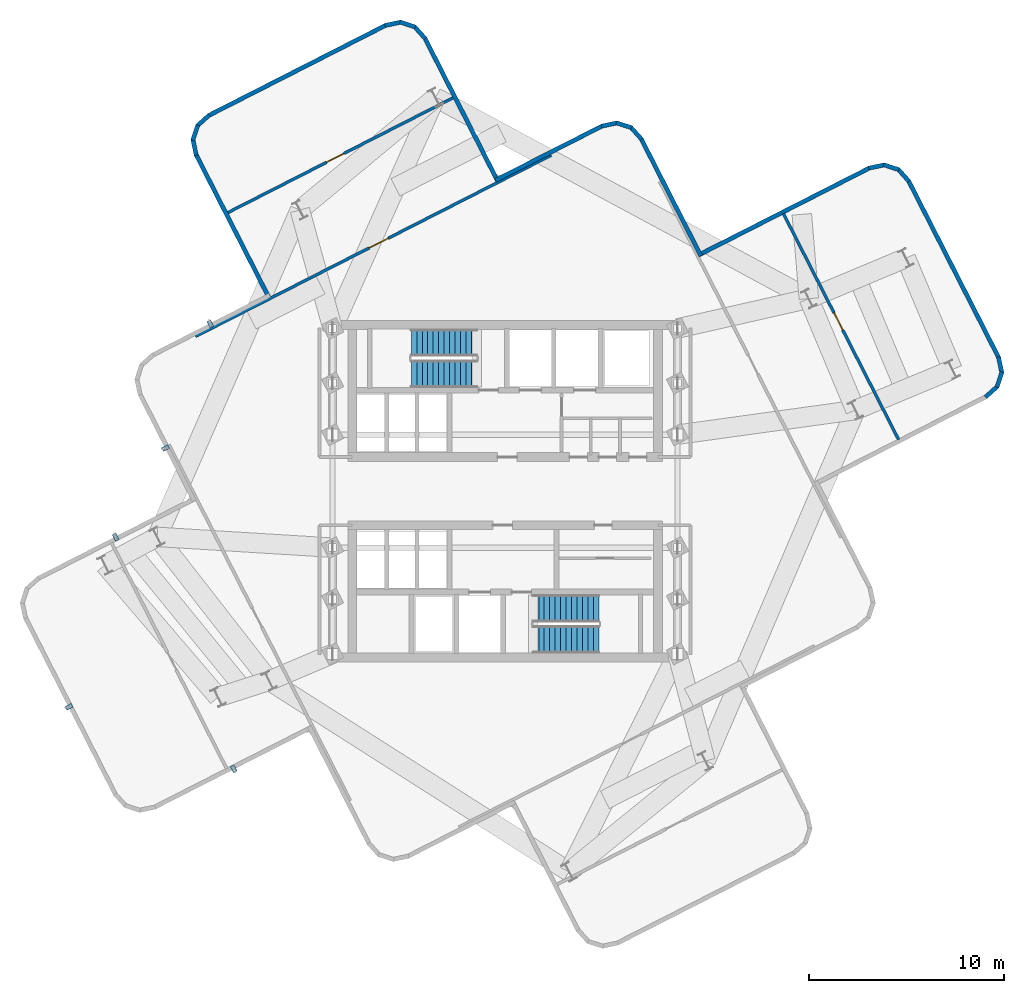
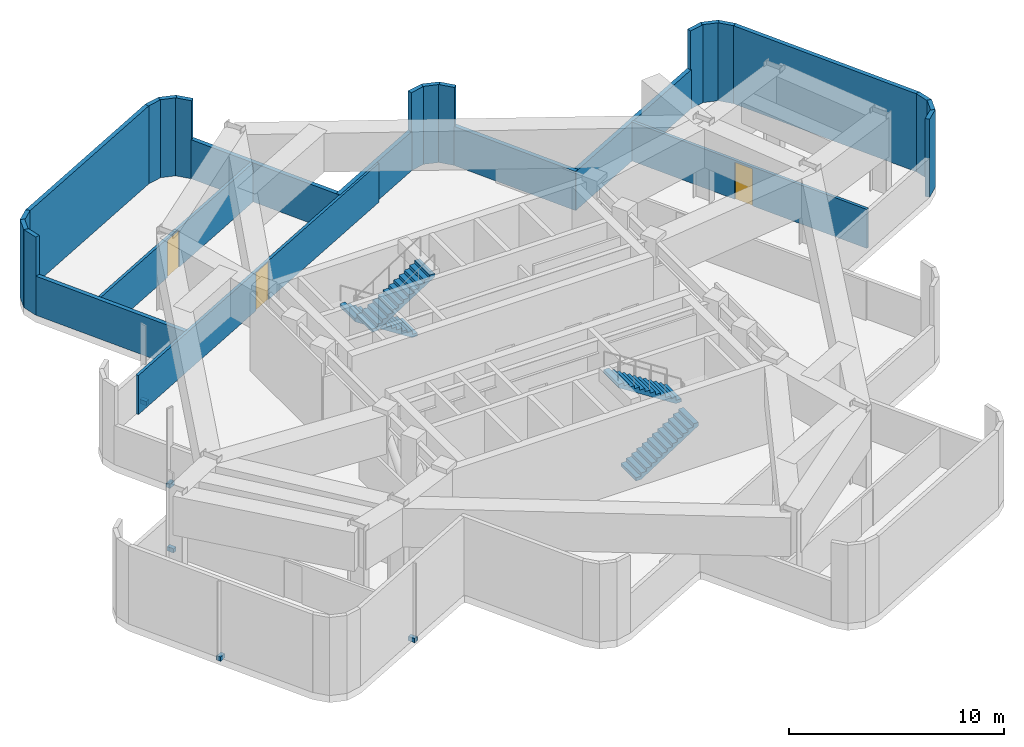
# One storey, part 5 of 6: 25 walls, 5 discrete accessories, 4 stair flights, 3 doors, 3 openings, 2 elements without a shape of their own.
"""IFC4 building model written with IfcOpenShell, lengths in metres."""

from ifc_helpers import new_model, si_unit, direction, frame, frame_2d, origin, origin_2d, place, context, subcontext, project, spatial, polyline, rectangle, outline, extrude, material, layer, layer_set, type_object, element, fill, aggregate, save


model = new_model("IFC4")

# Units and contexts
model_context = context("Model", 3, precision=1e-05, world=origin(), true_north=direction((0.0, 1.0)))
body_context = subcontext(model_context, "Body", "Model", "MODEL_VIEW")
ifc_project = project(units=[si_unit("LENGTHUNIT", "METRE"), si_unit("AREAUNIT", "SQUARE_METRE"), si_unit("VOLUMEUNIT", "CUBIC_METRE"), si_unit("PLANEANGLEUNIT", "RADIAN"), si_unit("MASSUNIT", "GRAM", prefix="KILO")], contexts=[model_context])

# Site, building, storey
site_placement = place(None, origin())
site = spatial("IfcSite", under=ifc_project, at=site_placement, CompositionType="ELEMENT")
building_placement = place(site_placement, origin())
building = spatial("IfcBuilding", under=site, at=building_placement, Name="Solmarez Civic Tower", CompositionType="ELEMENT")
storey_placement = place(building_placement, frame((0.0, 0.0, 196.199951171875)))
storey = spatial("IfcBuildingStorey", under=building, at=storey_placement, Name="L52", CompositionType="ELEMENT", Elevation=196.199951171875)

# Walls
ifc_material_1 = material(Name="Precast concrete C40/50", Category="concrete")
ifc_layer_1 = layer(ifc_material_1, 0.219970703125)
ifc_layer_set_1 = layer_set([ifc_layer_1], Name="Precast concrete C40/50")
wall_type_1 = type_object("IfcWallType", Name="WALL-EXT-220", PredefinedType="SOLIDWALL", material=ifc_layer_set_1)
wall_1_placement = place(storey_placement, frame((-12.1201171875, 9.93310546875, 0.0), z_axis=(0.0, 0.0, 1.0), x_axis=(-0.454013036743, 0.890995040652, 0.0)))
element("IfcWall", 1, at=wall_1_placement, inside=storey, type_object=wall_type_1, Name="L52 Exterior Precast Wall 20", PredefinedType="SOLIDWALL", context=body_context, shape_type="SweptSolid", body=[
    extrude(rectangle(XDim=8.257080078125, YDim=0.219970703125, at=frame_2d((4.12841796875, 0.0))), origin(), (0.0, 0.0, 1.0), 2.212158203125),
])
wall_2_placement = place(storey_placement, frame((-15.85302734375, 17.243896484375, 0.0), z_axis=(0.0, 0.0, 1.0), x_axis=(-0.207427745347, 0.978250341406, 0.0)))
element("IfcWall", 2, at=wall_2_placement, inside=storey, type_object=wall_type_1, Name="L52 Exterior Precast Wall 21", PredefinedType="SOLIDWALL", context=body_context, shape_type="SweptSolid", body=[
    extrude(rectangle(XDim=0.833251953125, YDim=0.219970703125, at=frame_2d((0.41650390625, 0.0))), origin(), (0.0, 0.0, 1.0), 4.420166015625),
])
wall_3_placement = place(storey_placement, frame((-16.029052734375, 18.010986328125, 0.0), z_axis=(0.0, 0.0, 1.0), x_axis=(0.309792535048, 0.950804178172, 0.0)))
element("IfcWall", 3, at=wall_3_placement, inside=storey, type_object=wall_type_1, Name="L52 Exterior Precast Wall 22", PredefinedType="SOLIDWALL", context=body_context, shape_type="SweptSolid", body=[
    extrude(rectangle(XDim=0.8203125, YDim=0.219970703125, at=frame_2d((0.41015625, 0.0))), origin(), (0.0, 0.0, 1.0), 4.420166015625),
])
wall_4_placement = place(storey_placement, frame((-15.802001953125, 18.75, 0.0), z_axis=(0.0, 0.0, 1.0), x_axis=(0.742712283539, 0.669610680829, 0.0)))
element("IfcWall", 4, at=wall_4_placement, inside=storey, type_object=wall_type_1, Name="L52 Exterior Precast Wall 23", PredefinedType="SOLIDWALL", context=body_context, shape_type="SweptSolid", body=[
    extrude(rectangle(XDim=0.8349609375, YDim=0.219970703125, at=frame_2d((0.41748046875, 0.0))), origin(), (0.0, 0.0, 1.0), 4.420166015625),
])
wall_5_placement = place(storey_placement, frame((-15.222900390625, 19.281005859375, 0.0), z_axis=(0.0, 0.0, 1.0), x_axis=(0.891057908133, 0.453889638959, 0.0)))
element("IfcWall", 5, at=wall_5_placement, inside=storey, type_object=wall_type_1, Name="L52 Exterior Precast Wall 24", PredefinedType="SOLIDWALL", context=body_context, shape_type="SweptSolid", body=[
    extrude(rectangle(XDim=10.220458984375, YDim=0.219970703125, at=frame_2d((5.1103515625, 0.0))), origin(), (0.0, 0.0, 1.0), 4.420166015625),
])
wall_6_placement = place(storey_placement, frame((-6.162109375, 23.904052734375, 0.0), z_axis=(0.0, 0.0, 1.0), x_axis=(0.978250341406, 0.207427745347, 0.0)))
element("IfcWall", 6, at=wall_6_placement, inside=storey, type_object=wall_type_1, Name="L52 Exterior Precast Wall 25", PredefinedType="SOLIDWALL", context=body_context, shape_type="SweptSolid", body=[
    extrude(rectangle(XDim=0.833251953125, YDim=0.219970703125, at=frame_2d((0.41650390625, 0.0))), origin(), (0.0, 0.0, 1.0), 4.420166015625),
])
wall_7_placement = place(storey_placement, frame((-5.39501953125, 24.080078125, 0.0), z_axis=(0.0, 0.0, 1.0), x_axis=(0.951154322348, -0.308715816049, 0.0)))
element("IfcWall", 7, at=wall_7_placement, inside=storey, type_object=wall_type_1, Name="L52 Exterior Precast Wall 26", PredefinedType="SOLIDWALL", context=body_context, shape_type="SweptSolid", body=[
    extrude(rectangle(XDim=0.820068359375, YDim=0.219970703125, at=frame_2d((0.41015625, 0.0))), origin(), (0.0, 0.0, 1.0), 4.420166015625),
])
wall_8_placement = place(storey_placement, frame((-4.656005859375, 23.85400390625, 0.0), z_axis=(0.0, 0.0, 1.0), x_axis=(0.668382995588, -0.743817296928, 0.0)))
element("IfcWall", 8, at=wall_8_placement, inside=storey, type_object=wall_type_1, Name="L52 Exterior Precast Wall 27", PredefinedType="SOLIDWALL", context=body_context, shape_type="SweptSolid", body=[
    extrude(rectangle(XDim=0.8349609375, YDim=0.219970703125, at=frame_2d((0.41748046875, 0.0))), origin(), (0.0, 0.0, 1.0), 4.420166015625),
])
wall_9_placement = place(storey_placement, frame((-4.1259765625, 23.27392578125, 0.0), z_axis=(0.0, 0.0, 1.0), x_axis=(0.453988669087, -0.89100745695, 0.0)))
element("IfcWall", 9, at=wall_9_placement, inside=storey, type_object=wall_type_1, Name="L52 Exterior Precast Wall 28", PredefinedType="SOLIDWALL", context=body_context, shape_type="SweptSolid", body=[
    extrude(rectangle(XDim=8.258056640625, YDim=0.219970703125, at=frame_2d((4.12890625, 0.0))), origin(), (0.0, 0.0, 1.0), 2.212158203125),
])
wall_10_placement = place(storey_placement, frame((-0.4951171875, 15.9541015625, 0.0), z_axis=(0.0, 0.0, 1.0), x_axis=(0.890999860625, 0.454003577481, 0.0)))
element("IfcWall", 10, at=wall_10_placement, inside=storey, type_object=wall_type_1, Name="L52 Exterior Precast Wall 31", PredefinedType="SOLIDWALL", context=body_context, shape_type="SweptSolid", body=[
    extrude(rectangle(XDim=6.158203125, YDim=0.219970703125, at=frame_2d((3.0791015625, 0.0))), origin(), (0.0, 0.0, 1.0), 2.212158203125),
])
wall_11_placement = place(storey_placement, frame((4.946044921875, 18.73388671875, 0.0), z_axis=(0.0, 0.0, 1.0), x_axis=(0.978178210569, 0.207767630705, 0.0)))
element("IfcWall", 11, at=wall_11_placement, inside=storey, type_object=wall_type_1, Name="L52 Exterior Precast Wall 32", PredefinedType="SOLIDWALL", context=body_context, shape_type="SweptSolid", body=[
    extrude(rectangle(XDim=0.8330078125, YDim=0.219970703125, at=frame_2d((0.41650390625, 0.0))), origin(), (0.0, 0.0, 1.0), 4.420166015625),
])
wall_12_placement = place(storey_placement, frame((5.712890625, 18.909912109375, 0.0), z_axis=(0.0, 0.0, 1.0), x_axis=(0.950891804303, -0.309523466815, 0.0)))
element("IfcWall", 12, at=wall_12_placement, inside=storey, type_object=wall_type_1, Name="L52 Exterior Precast Wall 33", PredefinedType="SOLIDWALL", context=body_context, shape_type="SweptSolid", body=[
    extrude(rectangle(XDim=0.8203125, YDim=0.219970703125, at=frame_2d((0.41015625, 0.0))), origin(), (0.0, 0.0, 1.0), 4.420166015625),
])
wall_13_placement = place(storey_placement, frame((6.451904296875, 18.68310546875, 0.0), z_axis=(0.0, 0.0, 1.0), x_axis=(0.669029293194, -0.743236035758, 0.0)))
element("IfcWall", 13, at=wall_13_placement, inside=storey, type_object=wall_type_1, Name="L52 Exterior Precast Wall 34", PredefinedType="SOLIDWALL", context=body_context, shape_type="SweptSolid", body=[
    extrude(rectangle(XDim=0.835693359375, YDim=0.219970703125, at=frame_2d((0.41796875, 0.0))), origin(), (0.0, 0.0, 1.0), 4.420166015625),
])
wall_14_placement = place(storey_placement, frame((6.98291015625, 18.10302734375, 0.0), z_axis=(0.0, 0.0, 1.0), x_axis=(0.454021572326, -0.890990691232, 0.0)))
element("IfcWall", 14, at=wall_14_placement, inside=storey, type_object=wall_type_1, Name="L52 Exterior Precast Wall 35", PredefinedType="SOLIDWALL", context=body_context, shape_type="SweptSolid", body=[
    extrude(rectangle(XDim=6.757568359375, YDim=0.219970703125, at=frame_2d((3.37890625, 0.0))), origin(), (0.0, 0.0, 1.0), 2.212158203125),
])
wall_15_placement = place(storey_placement, frame((9.93310546875, 12.1201171875, 0.0), z_axis=(0.0, 0.0, 1.0), x_axis=(0.89101832643, 0.453967335792, 0.0)))
element("IfcWall", 15, at=wall_15_placement, inside=storey, type_object=wall_type_1, Name="L52 Exterior Precast Wall 38", PredefinedType="SOLIDWALL", context=body_context, shape_type="SweptSolid", body=[
    extrude(rectangle(XDim=9.857177734375, YDim=0.219970703125, at=frame_2d((4.9287109375, 0.0))), origin(), (0.0, 0.0, 1.0), 2.212158203125),
])
wall_16_placement = place(storey_placement, frame((18.669921875, 16.5791015625, 0.0), z_axis=(0.0, 0.0, 1.0), x_axis=(0.978250341406, 0.207427745347, 0.0)))
element("IfcWall", 16, at=wall_16_placement, inside=storey, type_object=wall_type_1, Name="L52 Exterior Precast Wall 39", PredefinedType="SOLIDWALL", context=body_context, shape_type="SweptSolid", body=[
    extrude(rectangle(XDim=0.833251953125, YDim=0.219970703125, at=frame_2d((0.41650390625, 0.0))), origin(), (0.0, 0.0, 1.0), 4.420166015625),
])
wall_17_placement = place(storey_placement, frame((19.43701171875, 16.7548828125, 0.0), z_axis=(0.0, 0.0, 1.0), x_axis=(0.951241708051, -0.308446450561, 0.0)))
element("IfcWall", 17, at=wall_17_placement, inside=storey, type_object=wall_type_1, Name="L52 Exterior Precast Wall 40", PredefinedType="SOLIDWALL", context=body_context, shape_type="SweptSolid", body=[
    extrude(rectangle(XDim=0.820068359375, YDim=0.219970703125, at=frame_2d((0.41015625, 0.0))), origin(), (0.0, 0.0, 1.0), 4.420166015625),
])
wall_18_placement = place(storey_placement, frame((20.176025390625, 16.529052734375, 0.0), z_axis=(0.0, 0.0, 1.0), x_axis=(0.668221184222, -0.743962666373, 0.0)))
element("IfcWall", 18, at=wall_18_placement, inside=storey, type_object=wall_type_1, Name="L52 Exterior Precast Wall 41", PredefinedType="SOLIDWALL", context=body_context, shape_type="SweptSolid", body=[
    extrude(rectangle(XDim=0.8349609375, YDim=0.219970703125, at=frame_2d((0.41748046875, 0.0))), origin(), (0.0, 0.0, 1.0), 4.420166015625),
])
wall_19_placement = place(storey_placement, frame((20.7060546875, 15.948974609375, 0.0), z_axis=(0.0, 0.0, 1.0), x_axis=(0.453965499757, -0.891019261874, 0.0)))
element("IfcWall", 19, at=wall_19_placement, inside=storey, type_object=wall_type_1, Name="L52 Exterior Precast Wall 42", PredefinedType="SOLIDWALL", context=body_context, shape_type="SweptSolid", body=[
    extrude(rectangle(XDim=10.220703125, YDim=0.219970703125, at=frame_2d((5.1103515625, 0.0))), origin(), (0.0, 0.0, 1.0), 4.420166015625),
])
wall_20_placement = place(storey_placement, frame((25.330078125, 6.887939453125, 0.0), z_axis=(0.0, 0.0, 1.0), x_axis=(0.207487211814, -0.978237730275, 0.0)))
element("IfcWall", 20, at=wall_20_placement, inside=storey, type_object=wall_type_1, Name="L52 Exterior Precast Wall 43", PredefinedType="SOLIDWALL", context=body_context, shape_type="SweptSolid", body=[
    extrude(rectangle(XDim=0.8330078125, YDim=0.219970703125, at=frame_2d((0.41650390625, 0.0))), origin(), (0.0, 0.0, 1.0), 4.420166015625),
])
wall_21_placement = place(storey_placement, frame((25.506103515625, 6.12109375, 0.0), z_axis=(0.0, 0.0, 1.0), x_axis=(-0.310143535684, -0.950689742909, 0.0)))
element("IfcWall", 21, at=wall_21_placement, inside=storey, type_object=wall_type_1, Name="L52 Exterior Precast Wall 44", PredefinedType="SOLIDWALL", context=body_context, shape_type="SweptSolid", body=[
    extrude(rectangle(XDim=0.819580078125, YDim=0.219970703125, at=frame_2d((0.40966796875, 0.0))), origin(), (0.0, 0.0, 1.0), 4.420166015625),
])
wall_22_placement = place(storey_placement, frame((25.279052734375, 5.383056640625, 0.0), z_axis=(0.0, 0.0, 1.0), x_axis=(-0.743236035758, -0.669029293194, 0.0)))
element("IfcWall", 22, at=wall_22_placement, inside=storey, type_object=wall_type_1, Name="L52 Exterior Precast Wall 45", PredefinedType="SOLIDWALL", context=body_context, shape_type="SweptSolid", body=[
    extrude(rectangle(XDim=0.835693359375, YDim=0.219970703125, at=frame_2d((0.41796875, 0.0))), origin(), (0.0, 0.0, 1.0), 4.420166015625),
])

# Wall, opening, door
ifc_material_2 = material(Name="Gypsum Board Acoustic Steel-Stud Partition", Category="steel")
ifc_layer_2 = layer(ifc_material_2, 0.14990234375)
ifc_layer_set_2 = layer_set([ifc_layer_2], Name="Gypsum Board Acoustic Steel-Stud Partition")
wall_type_2 = type_object("IfcWallType", Name="WALL-INT-FIRE-150", PredefinedType="PARTITIONING", material=ifc_layer_set_2)
wall_23_placement = place(storey_placement, frame((14.285888671875, 14.25390625, 0.0), z_axis=(0.0, 0.0, 1.0), x_axis=(0.454050966536, -0.890975712232, 0.0)))
wall_23 = element("IfcWall", 23, at=wall_23_placement, inside=storey, type_object=wall_type_2, Name="L52 Interior Partition PT-L52-E-MID", PredefinedType="PARTITIONING", context=body_context, shape_type="SweptSolid", body=[
    extrude(rectangle(XDim=13.029296875, YDim=0.14990234375, at=frame_2d((6.5146484375, 0.0))), origin(), (0.0, 0.0, 1.0), 2.212158203125),
])
opening_1_placement = place(wall_23_placement, frame((5.715087890625, 0.0, 0.0)))
opening_1 = element("IfcOpeningElement", 24, at=opening_1_placement, cuts=wall_23, Name="Opening D-04", PredefinedType="OPENING", context=body_context, shape_type="SweptSolid", body=[
    extrude(rectangle(XDim=1.0, YDim=2.10009765625, at=frame_2d((0.5, 1.050048828125))), frame((0.0, 0.0849609375, 0.0), z_axis=(0.0, -1.0, 0.0), x_axis=(1.0, 0.0, 0.0)), (0.0, 0.0, 1.0), 0.169921875),
])
ifc_material_3 = material(Name="Steel-Faced Acoustic Fire Door", Category="steel")
door_type_1 = type_object("IfcDoorType", Name="DOOR-FD60-1000", OperationType="NOTDEFINED", PredefinedType="DOOR", material=ifc_material_3)
door_1_placement = place(opening_1_placement, origin())
door_1 = element("IfcDoor", 25, at=door_1_placement, inside=storey, type_object=door_type_1, Name="L52 East Outer Protected Refuge Area Door", OperationType="SINGLE_SWING_RIGHT", OverallHeight=2.10009765625, OverallWidth=1.0, PredefinedType="DOOR", context=body_context, shape_type="SweptSolid", body=[
    extrude(rectangle(XDim=1.0, YDim=2.10009765625, at=frame_2d((0.5, 1.050048828125))), frame((0.0, 0.02490234375, 0.0), z_axis=(0.0, -1.0, 0.0), x_axis=(1.0, 0.0, 0.0)), (0.0, 0.0, 1.0), 0.050048828125),
])
fill(opening_1, door_1)

wall_24_placement = place(storey_placement, frame((-15.886962890625, 7.943115234375, 0.0), z_axis=(0.0, 0.0, 1.0), x_axis=(0.890987682839, 0.454027476073, 0.0)))
wall_24 = element("IfcWall", 26, at=wall_24_placement, inside=storey, type_object=wall_type_2, Name="L52 Interior Partition PT-L52-N-ENT", PredefinedType="PARTITIONING", context=body_context, shape_type="SweptSolid", body=[
    extrude(rectangle(XDim=20.49853515625, YDim=0.14990234375, at=frame_2d((10.249267578125, 0.0))), origin(), (0.0, 0.0, 1.0), 2.212158203125),
])
opening_2_placement = place(wall_24_placement, frame((10.0, 0.0, 0.0)))
opening_2 = element("IfcOpeningElement", 27, at=opening_2_placement, cuts=wall_24, Name="Opening D-07", PredefinedType="OPENING", context=body_context, shape_type="SweptSolid", body=[
    extrude(rectangle(XDim=1.10009765625, YDim=2.14990234375, at=frame_2d((0.550048828125, 1.074951171875))), frame((0.0, 0.0849609375, 0.0), z_axis=(0.0, -1.0, 0.0), x_axis=(1.0, 0.0, 0.0)), (0.0, 0.0, 1.0), 0.169921875),
])
ifc_material_4 = material(Name="Heavy-Duty Fire Exit Door", Category="wood")
door_type_2 = type_object("IfcDoorType", Name="DOOR-FD90-1100", OperationType="NOTDEFINED", PredefinedType="DOOR", material=ifc_material_4)
door_2_placement = place(opening_2_placement, origin())
door_2 = element("IfcDoor", 28, at=door_2_placement, inside=storey, type_object=door_type_2, Name="L52 Chiller and Cooling Plant Room Door", OperationType="SINGLE_SWING_LEFT", OverallHeight=2.14990234375, OverallWidth=1.10009765625, PredefinedType="DOOR", context=body_context, shape_type="SweptSolid", body=[
    extrude(rectangle(XDim=1.10009765625, YDim=2.14990234375, at=frame_2d((0.550048828125, 1.074951171875))), frame((0.0, 0.02490234375, 0.0), z_axis=(0.0, -1.0, 0.0), x_axis=(1.0, 0.0, 0.0)), (0.0, 0.0, 1.0), 0.050048828125),
])
fill(opening_2, door_2)

wall_25_placement = place(storey_placement, frame((-14.25390625, 14.285888671875, 0.0), z_axis=(0.0, 0.0, 1.0), x_axis=(0.890975712232, 0.454050966536, 0.0)))
wall_25 = element("IfcWall", 29, at=wall_25_placement, inside=storey, type_object=wall_type_2, Name="L52 Interior Partition PT-L52-N-MID", PredefinedType="PARTITIONING", context=body_context, shape_type="SweptSolid", body=[
    extrude(rectangle(XDim=13.029296875, YDim=0.14990234375, at=frame_2d((6.5146484375, 0.0))), origin(), (0.0, 0.0, 1.0), 2.212158203125),
])
opening_3_placement = place(wall_25_placement, frame((5.715087890625, 0.0, 0.0)))
opening_3 = element("IfcOpeningElement", 30, at=opening_3_placement, cuts=wall_25, Name="Opening D-04", PredefinedType="OPENING", context=body_context, shape_type="SweptSolid", body=[
    extrude(rectangle(XDim=1.0, YDim=2.10009765625, at=frame_2d((0.5, 1.050048828125))), frame((0.0, 0.0849609375, 0.0), z_axis=(0.0, -1.0, 0.0), x_axis=(1.0, 0.0, 0.0)), (0.0, 0.0, 1.0), 0.169921875),
])
door_3_placement = place(opening_3_placement, origin())
door_3 = element("IfcDoor", 31, at=door_3_placement, inside=storey, type_object=door_type_1, Name="L52 Electrical Switchgear Plant Room Door", OperationType="SINGLE_SWING_RIGHT", OverallHeight=2.10009765625, OverallWidth=1.0, PredefinedType="DOOR", context=body_context, shape_type="SweptSolid", body=[
    extrude(rectangle(XDim=1.0, YDim=2.10009765625, at=frame_2d((0.5, 1.050048828125))), frame((0.0, 0.02490234375, 0.0), z_axis=(0.0, -1.0, 0.0), x_axis=(1.0, 0.0, 0.0)), (0.0, 0.0, 1.0), 0.050048828125),
])
fill(opening_3, door_3)

# Stair, stair flights
ifc_material_5 = material(Name="Concrete C50/60", Category="concrete")
stair_type = type_object("IfcStairType", Name="STAIR-DOGLEG-140W-26R-1800", PredefinedType="HALF_TURN_STAIR", material=ifc_material_5)
stair_1_placement = place(storey_placement, origin())
stair_1 = element("IfcStair", 32, at=stair_1_placement, inside=storey, type_object=stair_type, Name="L52 North Core Protected Exit Stair ST-1", PredefinedType="HALF_TURN_STAIR")
stair_flight_type = type_object("IfcStairFlightType", Name="FLIGHT-DOGLEG-140W-13R-1800", PredefinedType="STRAIGHT", material=ifc_material_5)
stair_flight_1_placement = place(storey_placement, frame((-1.449951171875, 7.6201171875, 0.0), z_axis=(0.0, 0.0, 1.0), x_axis=(-1.0, 0.0, 0.0)))
stair_flight_1 = element("IfcStairFlight", 33, at=stair_flight_1_placement, type_object=stair_flight_type, Name="ST-1 flight 1", NumberOfRisers=13, NumberOfTreads=12, PredefinedType="STRAIGHT", RiserHeight=0.18, TreadLength=0.28, context=body_context, shape_type="SweptSolid", body=[
    extrude(outline(polyline([(0.0, 0.0), (0.0, 0.179931640625), (0.280029296875, 0.179931640625), (0.280029296875, 0.360107421875), (0.56005859375, 0.360107421875), (0.56005859375, 0.5400390625), (0.840087890625, 0.5400390625), (0.840087890625, 0.719970703125), (1.1201171875, 0.719970703125), (1.1201171875, 0.89990234375), (1.39990234375, 0.89990234375), (1.39990234375, 1.080078125), (1.679931640625, 1.080078125), (1.679931640625, 1.260009765625), (1.9599609375, 1.260009765625), (1.9599609375, 1.43994140625), (2.239990234375, 1.43994140625), (2.239990234375, 1.6201171875), (2.52001953125, 1.6201171875), (2.52001953125, 1.800048828125), (2.800048828125, 1.800048828125), (2.800048828125, 1.97998046875), (3.080078125, 1.97998046875), (3.080078125, 2.159912109375), (3.360107421875, 2.159912109375), (3.360107421875, 2.340087890625), (3.360107421875, 1.969970703125), (0.295654296875, 0.0), (0.0, 0.0)])), frame((0.0, 0.699951171875, 0.0), z_axis=(0.0, -1.0, 0.0), x_axis=(1.0, 0.0, 0.0)), (0.0, 0.0, 1.0), 1.39990234375),
])
stair_flight_2_placement = place(storey_placement, frame((-4.81005859375, 6.02001953125, 2.340087890625), z_axis=(0.0, 0.0, 1.0), x_axis=(1.0, 0.0, 0.0)))
stair_flight_2 = element("IfcStairFlight", 34, at=stair_flight_2_placement, type_object=stair_flight_type, Name="ST-1 flight 2", NumberOfRisers=13, NumberOfTreads=12, PredefinedType="STRAIGHT", RiserHeight=0.18, TreadLength=0.28, context=body_context, shape_type="SweptSolid", body=[
    extrude(outline(polyline([(0.0, 0.0), (0.0, 0.179931640625), (0.280029296875, 0.179931640625), (0.280029296875, 0.360107421875), (0.56005859375, 0.360107421875), (0.56005859375, 0.5400390625), (0.840087890625, 0.5400390625), (0.840087890625, 0.719970703125), (1.1201171875, 0.719970703125), (1.1201171875, 0.89990234375), (1.39990234375, 0.89990234375), (1.39990234375, 1.080078125), (1.679931640625, 1.080078125), (1.679931640625, 1.260009765625), (1.9599609375, 1.260009765625), (1.9599609375, 1.43994140625), (2.239990234375, 1.43994140625), (2.239990234375, 1.6201171875), (2.52001953125, 1.6201171875), (2.52001953125, 1.800048828125), (2.800048828125, 1.800048828125), (2.800048828125, 1.97998046875), (3.080078125, 1.97998046875), (3.080078125, 2.159912109375), (3.360107421875, 2.159912109375), (3.360107421875, 2.340087890625), (3.360107421875, 1.969970703125), (0.295654296875, 0.0), (0.0, 0.0)])), frame((0.0, 0.699951171875, 0.0), z_axis=(0.0, -1.0, 0.0), x_axis=(1.0, 0.0, 0.0)), (0.0, 0.0, 1.0), 1.39990234375),
])
aggregate(stair_1, [stair_flight_1, stair_flight_2])

stair_2_placement = place(storey_placement, origin())
stair_2 = element("IfcStair", 35, at=stair_2_placement, inside=storey, type_object=stair_type, Name="L52 South Core Protected Exit Stair ST-2", PredefinedType="HALF_TURN_STAIR")
stair_flight_3_placement = place(storey_placement, frame((1.449951171875, -7.6201171875, 0.0), z_axis=(0.0, 0.0, 1.0), x_axis=(1.0, 0.0, 0.0)))
stair_flight_3 = element("IfcStairFlight", 36, at=stair_flight_3_placement, type_object=stair_flight_type, Name="ST-2 flight 1", NumberOfRisers=13, NumberOfTreads=12, PredefinedType="STRAIGHT", RiserHeight=0.18, TreadLength=0.28, context=body_context, shape_type="SweptSolid", body=[
    extrude(outline(polyline([(0.0, 0.0), (0.0, 0.179931640625), (0.280029296875, 0.179931640625), (0.280029296875, 0.360107421875), (0.56005859375, 0.360107421875), (0.56005859375, 0.5400390625), (0.840087890625, 0.5400390625), (0.840087890625, 0.719970703125), (1.1201171875, 0.719970703125), (1.1201171875, 0.89990234375), (1.39990234375, 0.89990234375), (1.39990234375, 1.080078125), (1.679931640625, 1.080078125), (1.679931640625, 1.260009765625), (1.9599609375, 1.260009765625), (1.9599609375, 1.43994140625), (2.239990234375, 1.43994140625), (2.239990234375, 1.6201171875), (2.52001953125, 1.6201171875), (2.52001953125, 1.800048828125), (2.800048828125, 1.800048828125), (2.800048828125, 1.97998046875), (3.080078125, 1.97998046875), (3.080078125, 2.159912109375), (3.360107421875, 2.159912109375), (3.360107421875, 2.340087890625), (3.360107421875, 1.969970703125), (0.295654296875, 0.0), (0.0, 0.0)])), frame((0.0, 0.699951171875, 0.0), z_axis=(0.0, -1.0, 0.0), x_axis=(1.0, 0.0, 0.0)), (0.0, 0.0, 1.0), 1.39990234375),
])
stair_flight_4_placement = place(storey_placement, frame((4.81005859375, -6.02001953125, 2.340087890625), z_axis=(0.0, 0.0, 1.0), x_axis=(-1.0, 0.0, 0.0)))
stair_flight_4 = element("IfcStairFlight", 37, at=stair_flight_4_placement, type_object=stair_flight_type, Name="ST-2 flight 2", NumberOfRisers=13, NumberOfTreads=12, PredefinedType="STRAIGHT", RiserHeight=0.18, TreadLength=0.28, context=body_context, shape_type="SweptSolid", body=[
    extrude(outline(polyline([(0.0, 0.0), (0.0, 0.179931640625), (0.280029296875, 0.179931640625), (0.280029296875, 0.360107421875), (0.56005859375, 0.360107421875), (0.56005859375, 0.5400390625), (0.840087890625, 0.5400390625), (0.840087890625, 0.719970703125), (1.1201171875, 0.719970703125), (1.1201171875, 0.89990234375), (1.39990234375, 0.89990234375), (1.39990234375, 1.080078125), (1.679931640625, 1.080078125), (1.679931640625, 1.260009765625), (1.9599609375, 1.260009765625), (1.9599609375, 1.43994140625), (2.239990234375, 1.43994140625), (2.239990234375, 1.6201171875), (2.52001953125, 1.6201171875), (2.52001953125, 1.800048828125), (2.800048828125, 1.800048828125), (2.800048828125, 1.97998046875), (3.080078125, 1.97998046875), (3.080078125, 2.159912109375), (3.360107421875, 2.159912109375), (3.360107421875, 2.340087890625), (3.360107421875, 1.969970703125), (0.295654296875, 0.0), (0.0, 0.0)])), frame((0.0, 0.699951171875, 0.0), z_axis=(0.0, -1.0, 0.0), x_axis=(1.0, 0.0, 0.0)), (0.0, 0.0, 1.0), 1.39990234375),
])
aggregate(stair_2, [stair_flight_3, stair_flight_4])

# Discrete accessories
ifc_material_6 = material(Name="Stainless Steel Grade 1.4401", Category="steel")
discrete_accessory_type = type_object("IfcDiscreteAccessoryType", Name="BRACKET-SS-FIN", PredefinedType="BRACKET", material=ifc_material_6)
for number, where, z_axis, x_axis, name in (
    (38, (-13.931884765625, -14.2470703125, -0.06005859375), (0.0, 0.0, 1.0), (0.453997792334, -0.891002808389, 0.0), "L52 Stainless Fin Support Bracket LVR-L52-01"),
    (39, (-22.385009765625, -11.069091796875, -0.06005859375), (0.0, 0.0, 1.0), (-0.89103949686, -0.453925781418, 0.0), "L52 Stainless Fin Support Bracket LVR-L52-02"),
    (40, (-19.988037109375, -2.362060546875, -0.06005859375), (0.0, 0.0, 1.0), (-0.453952573851, 0.891025847377, 0.0), "L52 Stainless Fin Support Bracket LVR-L52-03"),
    (41, (-17.423095703125, 2.2119140625, -0.06005859375), (0.0, 0.0, 1.0), (-0.890994052607, -0.454014975765, 0.0), "L52 Stainless Fin Support Bracket LVR-L52-04"),
    (42, (-15.12890625, 8.587890625, -0.06005859375), (0.0, 0.0, 1.0), (-0.454002424033, 0.891000448357, 0.0), "L52 Stainless Fin Support Bracket LVR-L52-05"),
):
    element("IfcDiscreteAccessory", number, at=place(storey_placement, frame(where, z_axis=z_axis, x_axis=x_axis)), inside=storey, type_object=discrete_accessory_type, Name=name, PredefinedType="BRACKET", context=body_context, shape_type="SweptSolid", body=[
        extrude(rectangle(XDim=0.360107421875, YDim=0.219970703125, at=origin_2d()), origin(), (0.0, 0.0, 1.0), 0.239990234375),
    ])

save(model, "model.ifc")
